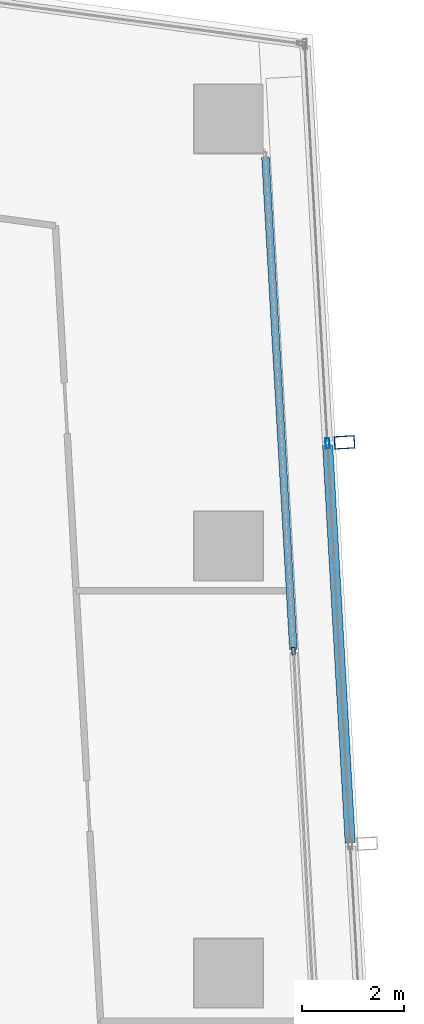
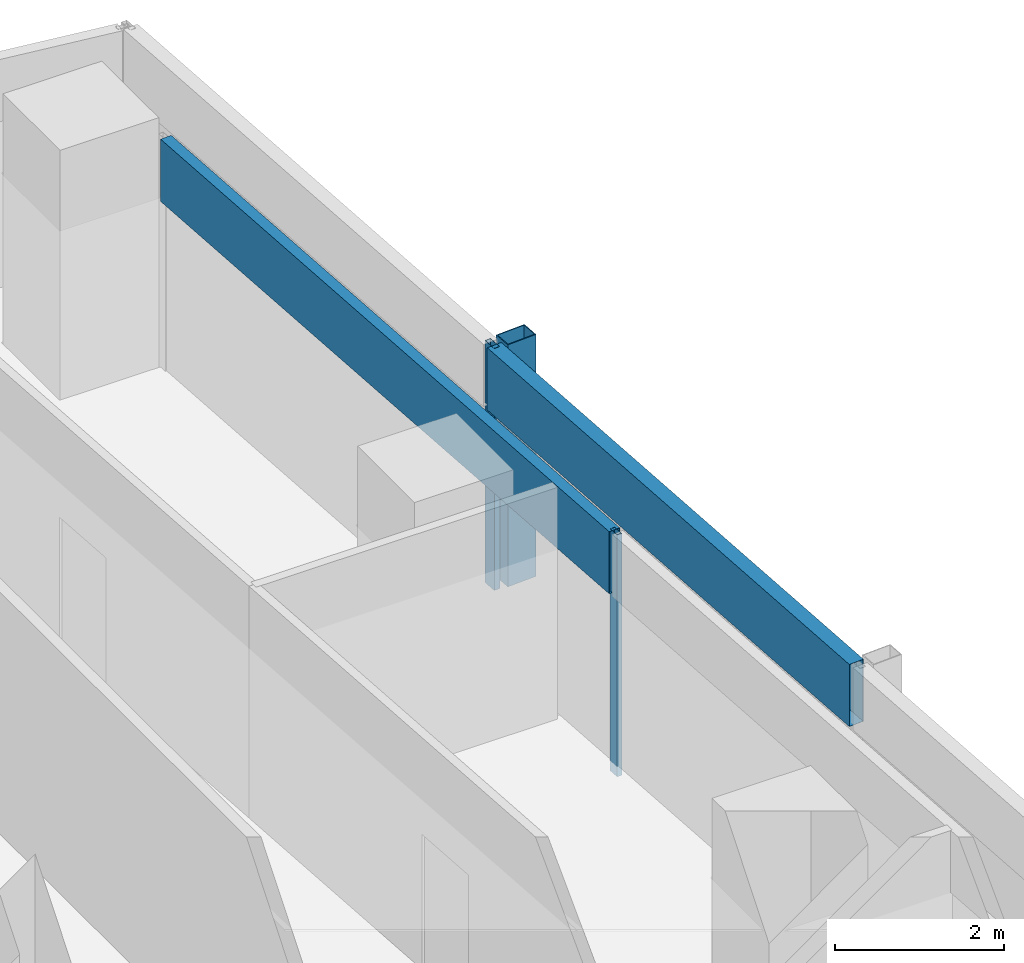
# One storey, part 23 of 38: 5 members, 2 elements without a shape of their own.
"""IFC4 building model written with IfcOpenShell, lengths in metres."""

from ifc_helpers import new_model, si_unit, direction, frame, origin, origin_2d, place, context, subcontext, project, spatial, hollow_rectangle, extrude, material, material_profile, profile_set, type_object, element, aggregate, save


model = new_model("IFC4")

# Units and contexts
model_context = context("Model", 3, precision=1e-05, world=origin(), true_north=direction((0.0, 1.0)))
body_context = subcontext(model_context, "Body", "Model", "MODEL_VIEW")
ifc_project = project(units=[si_unit("LENGTHUNIT", "METRE"), si_unit("AREAUNIT", "SQUARE_METRE"), si_unit("VOLUMEUNIT", "CUBIC_METRE"), si_unit("PLANEANGLEUNIT", "RADIAN"), si_unit("MASSUNIT", "GRAM", prefix="KILO")], contexts=[model_context])

# Site, building, storey
site_placement = place(None, origin())
site = spatial("IfcSite", under=ifc_project, at=site_placement, CompositionType="ELEMENT")
building_placement = place(site_placement, origin())
building = spatial("IfcBuilding", under=site, at=building_placement, Name="Rekha Terrace Tower", CompositionType="ELEMENT")
storey_placement = place(building_placement, frame((0.0, 0.0, 202.699951171875)))
storey = spatial("IfcBuildingStorey", under=building, at=storey_placement, Name="L51", CompositionType="ELEMENT", Elevation=202.699951171875)

# Curtain wall, member
ifc_material_1 = material(Name="Aluminium framing", Category="aluminium")
curtain_wall_type_1 = type_object("IfcCurtainWallType", Name="CW2 double skin outer glazing", PredefinedType="USERDEFINED", material=ifc_material_1)
curtain_wall_1_placement = place(storey_placement, origin())
curtain_wall_1 = element("IfcCurtainWall", 1, at=curtain_wall_1_placement, inside=storey, type_object=curtain_wall_type_1, Name="CW2 double skin outer glazing", ObjectType="DOUBLE SKIN OUTER GLAZING", PredefinedType="USERDEFINED")
ifc_material_2 = material(Name="Steel S355 with fluorocarbon finish", Category="steel")
ifc_material_profile_1 = material_profile(ifc_material_2, hollow_rectangle(XDim=0.25, YDim=0.39990234375, WallThickness=0.012451171875, at=origin_2d()), Name="RHS400x250x12.5")
ifc_profile_set_1 = profile_set([ifc_material_profile_1], Name="Steel S355 with fluorocarbon finish")
member_type_1 = type_object("IfcMemberType", Name="BL1 facade blade RHS 400 x 250", PredefinedType="USERDEFINED", material=ifc_profile_set_1)
member_1_placement = place(storey_placement, frame((61.080078125, 52.4375, 0.0), z_axis=(0.0, 0.0, 1.0), x_axis=(-0.056673619809, 0.998392758797, 0.0)))
member_1 = element("IfcMember", 2, at=member_1_placement, type_object=member_type_1, Name="Facade blade", ObjectType="FACADE BLADE", PredefinedType="USERDEFINED", context=body_context, shape_type="SweptSolid", body=[
    extrude(hollow_rectangle(XDim=0.25, YDim=0.39990234375, WallThickness=0.012451171875, at=origin_2d()), origin(), (0.0, 0.0, 1.0), 3.5),
])

# Curtain wall, members
curtain_wall_type_2 = type_object("IfcCurtainWallType", Name="CW1 double skin inner glazing", PredefinedType="USERDEFINED", material=ifc_material_1)
curtain_wall_2_placement = place(storey_placement, origin())
curtain_wall_2 = element("IfcCurtainWall", 3, at=curtain_wall_2_placement, inside=storey, type_object=curtain_wall_type_2, Name="CW1 double skin inner glazing", ObjectType="DOUBLE SKIN INNER GLAZING", PredefinedType="USERDEFINED")
ifc_material_3 = material(Name="Aluminium mullion section", Category="aluminium")
ifc_material_profile_2 = material_profile(ifc_material_3, hollow_rectangle(XDim=0.06494140625, YDim=0.14990234375, WallThickness=0.00390625, at=origin_2d()), Name="AL RHS 65x150")
ifc_profile_set_2 = profile_set([ifc_material_profile_2], Name="Aluminium mullion section")
member_type_2 = type_object("IfcMemberType", Name="CW1 mullion RHS 65 x 150", PredefinedType="MULLION", material=ifc_profile_set_2)
member_2_placement = place(storey_placement, frame((60.076171875, 48.331787109375, 0.0), z_axis=(0.0, 0.0, 1.0), x_axis=(-0.998392782919, -0.05667319486, 0.0)))
member_2 = element("IfcMember", 4, at=member_2_placement, type_object=member_type_2, Name="CW1 mullion 3", PredefinedType="MULLION", context=body_context, shape_type="SweptSolid", body=[
    extrude(hollow_rectangle(XDim=0.06494140625, YDim=0.14990234375, WallThickness=0.00390625, at=origin_2d()), origin(), (0.0, 0.0, 1.0), 3.5),
])
ifc_material_4 = material(Name="Insulated aluminium spandrel box", Category="aluminium")
ifc_material_profile_3 = material_profile(ifc_material_4, hollow_rectangle(XDim=0.14990234375, YDim=0.89990234375, WallThickness=0.0029296875, at=origin_2d()), Name="AL SPANDREL BOX 150x900")
ifc_profile_set_3 = profile_set([ifc_material_profile_3], Name="Insulated aluminium spandrel box")
member_type_3 = type_object("IfcMemberType", Name="CW1 spandrel transom 150 x 900", PredefinedType="USERDEFINED", material=ifc_profile_set_3)
member_3_placement = place(storey_placement, frame((60.07421875, 48.3642578125, 3.050048828125), z_axis=(-0.056665357377, 0.998393227778, 0.0), x_axis=(-0.998393227778, -0.056665357377, 0.0)))
member_3 = element("IfcMember", 5, at=member_3_placement, type_object=member_type_3, Name="CW1 spandrel transom 3", ObjectType="TRANSOM", PredefinedType="USERDEFINED", context=body_context, shape_type="SweptSolid", body=[
    extrude(hollow_rectangle(XDim=0.14990234375, YDim=0.89990234375, WallThickness=0.0029296875, at=origin_2d()), origin(), (0.0, 0.0, 1.0), 9.694091796875),
])
aggregate(curtain_wall_2, [member_2, member_3])

# Member
ifc_material_profile_4 = material_profile(ifc_material_3, hollow_rectangle(XDim=0.080078125, YDim=0.199951171875, WallThickness=0.00390625, at=origin_2d()), Name="AL RHS 80x200")
ifc_profile_set_4 = profile_set([ifc_material_profile_4], Name="Aluminium mullion section")
member_type_4 = type_object("IfcMemberType", Name="CW2 mullion RHS 80 x 200", PredefinedType="MULLION", material=ifc_profile_set_4)
member_4_placement = place(storey_placement, frame((60.74560546875, 52.41845703125, 0.0), z_axis=(0.0, 0.0, 1.0), x_axis=(-0.998392782919, -0.05667319486, 0.0)))
member_4 = element("IfcMember", 6, at=member_4_placement, type_object=member_type_4, Name="CW2 mullion 4", PredefinedType="MULLION", context=body_context, shape_type="SweptSolid", body=[
    extrude(hollow_rectangle(XDim=0.080078125, YDim=0.199951171875, WallThickness=0.00390625, at=origin_2d()), origin(), (0.0, 0.0, 1.0), 3.5),
])

ifc_material_profile_5 = material_profile(ifc_material_4, hollow_rectangle(XDim=0.199951171875, YDim=0.89990234375, WallThickness=0.0029296875, at=origin_2d()), Name="AL SPANDREL BOX 200x900")
ifc_profile_set_5 = profile_set([ifc_material_profile_5], Name="Insulated aluminium spandrel box")
member_type_5 = type_object("IfcMemberType", Name="CW2 spandrel transom 200 x 900", PredefinedType="USERDEFINED", material=ifc_profile_set_5)
member_5_placement = place(storey_placement, frame((61.19140625, 44.567626953125, 3.050048828125), z_axis=(-0.056702299999, 0.998391130357, 0.0), x_axis=(-0.998391130357, -0.056702299999, 0.0)))
member_5 = element("IfcMember", 7, at=member_5_placement, type_object=member_type_5, Name="CW2 spandrel transom 3", ObjectType="TRANSOM", PredefinedType="USERDEFINED", context=body_context, shape_type="SweptSolid", body=[
    extrude(hollow_rectangle(XDim=0.199951171875, YDim=0.89990234375, WallThickness=0.0029296875, at=origin_2d()), origin(), (0.0, 0.0, 1.0), 7.823486328125),
])

aggregate(curtain_wall_1, [member_4, member_5, member_1])

save(model, "model.ifc")
